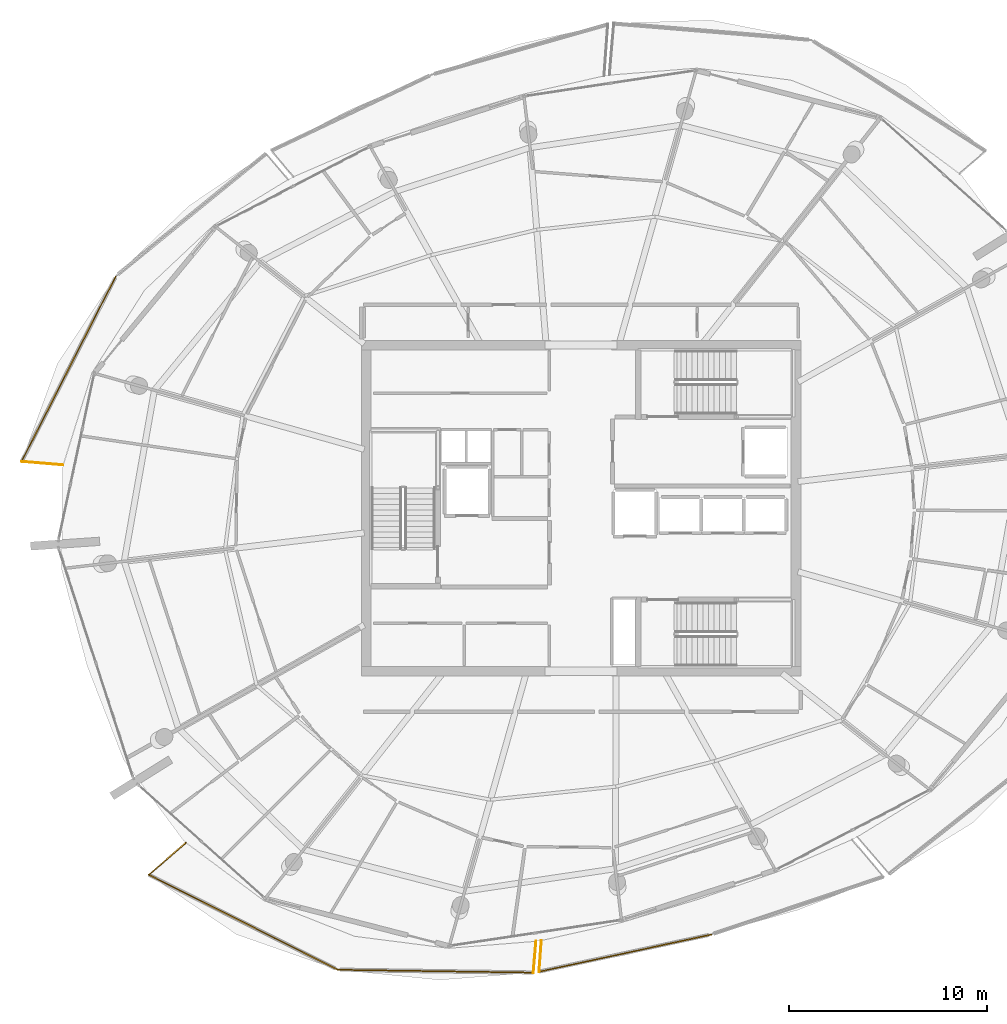
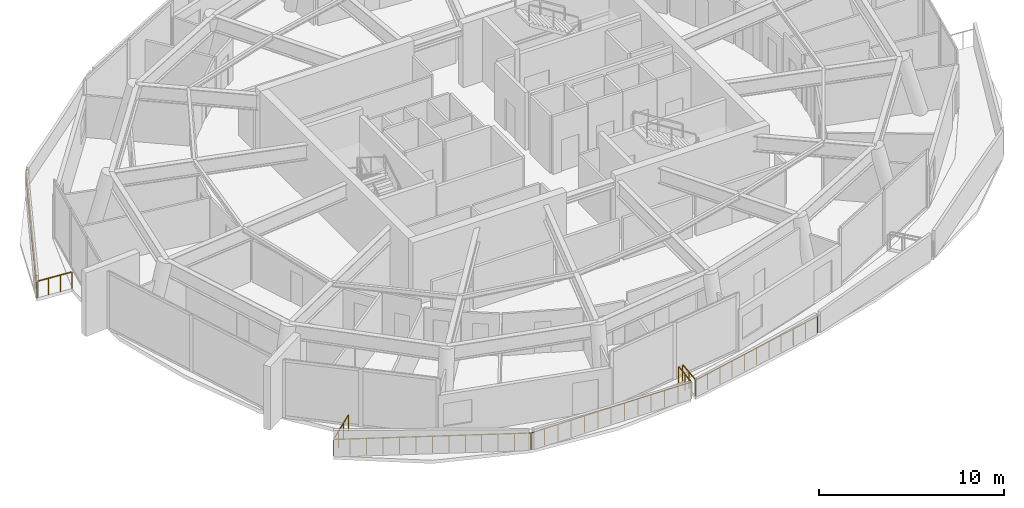
# One storey, part 15 of 19: 8 railings.
"""IFC4 building model written with IfcOpenShell, lengths in metres."""

from ifc_helpers import new_model, si_unit, direction, frame, origin, origin_2d, place, context, subcontext, project, spatial, rectangle, extrude, material, type_object, element, save


model = new_model("IFC4")

# Units and contexts
model_context = context("Model", 3, precision=1e-05, world=origin(), true_north=direction((0.0, 1.0)))
body_context = subcontext(model_context, "Body", "Model", "MODEL_VIEW")
ifc_project = project(units=[si_unit("LENGTHUNIT", "METRE"), si_unit("AREAUNIT", "SQUARE_METRE"), si_unit("VOLUMEUNIT", "CUBIC_METRE"), si_unit("PLANEANGLEUNIT", "RADIAN"), si_unit("MASSUNIT", "GRAM", prefix="KILO")], contexts=[model_context])

# Site, building, storey
site_placement = place(None, origin())
site = spatial("IfcSite", under=ifc_project, at=site_placement, CompositionType="ELEMENT")
building_placement = place(site_placement, origin())
building = spatial("IfcBuilding", under=site, at=building_placement, Name="Kazma Halo Residences", CompositionType="ELEMENT")
storey_placement = place(building_placement, frame((0.0, 0.0, 347.300048828125)))
storey = spatial("IfcBuildingStorey", under=building, at=storey_placement, Name="L87", CompositionType="ELEMENT", Elevation=347.300048828125)

# Railings
ifc_material = material(Name="Aluminium AW-6063 T6 Brushed Cap Rail", Category="aluminium")
railing_type = type_object("IfcRailingType", Name="RLG-BAL-CAP-1120", PredefinedType="BALUSTRADE", material=ifc_material)
railing_1_placement = place(storey_placement, frame((24.893798828125, 53.773193359375, 0.0)))
element("IfcRailing", 1, at=railing_1_placement, inside=storey, type_object=railing_type, Name="L87 NW wave balcony guard 3", PredefinedType="BALUSTRADE", context=body_context, shape_type="SweptSolid", body=[
    extrude(rectangle(XDim=0.050048828125, YDim=0.050048828125, at=origin_2d()), frame((-0.019287109375, -0.037841796875, 1.09521484375), z_axis=(-0.453328923079, -0.891343305074, 0.0), x_axis=(0.891343305074, -0.453328923079, 0.0)), (0.0, 0.0, 1.0), 10.46826171875),
    extrude(rectangle(XDim=0.0400390625, YDim=0.0400390625, at=origin_2d()), origin(), (0.0, 0.0, 1.0), 1.05810546875),
    extrude(rectangle(XDim=0.0400390625, YDim=0.0400390625, at=origin_2d()), frame((-0.398681640625, -0.783935546875, 0.0)), (0.0, 0.0, 1.0), 1.05810546875),
    extrude(rectangle(XDim=0.0400390625, YDim=0.0400390625, at=origin_2d()), frame((-0.79736328125, -1.56787109375, 0.0)), (0.0, 0.0, 1.0), 1.05810546875),
    extrude(rectangle(XDim=0.0400390625, YDim=0.0400390625, at=origin_2d()), frame((-1.196044921875, -2.3515625, 0.0)), (0.0, 0.0, 1.0), 1.05810546875),
    extrude(rectangle(XDim=0.0400390625, YDim=0.0400390625, at=origin_2d()), frame((-1.5947265625, -3.135498046875, 0.0)), (0.0, 0.0, 1.0), 1.05810546875),
    extrude(rectangle(XDim=0.0400390625, YDim=0.0400390625, at=origin_2d()), frame((-1.993408203125, -3.91943359375, 0.0)), (0.0, 0.0, 1.0), 1.05810546875),
    extrude(rectangle(XDim=0.0400390625, YDim=0.0400390625, at=origin_2d()), frame((-2.39208984375, -4.703369140625, 0.0)), (0.0, 0.0, 1.0), 1.05810546875),
    extrude(rectangle(XDim=0.0400390625, YDim=0.0400390625, at=origin_2d()), frame((-2.790771484375, -5.4873046875, 0.0)), (0.0, 0.0, 1.0), 1.05810546875),
    extrude(rectangle(XDim=0.0400390625, YDim=0.0400390625, at=origin_2d()), frame((-3.189453125, -6.271240234375, 0.0)), (0.0, 0.0, 1.0), 1.05810546875),
    extrude(rectangle(XDim=0.0400390625, YDim=0.0400390625, at=origin_2d()), frame((-3.588134765625, -7.05517578125, 0.0)), (0.0, 0.0, 1.0), 1.05810546875),
    extrude(rectangle(XDim=0.0400390625, YDim=0.0400390625, at=origin_2d()), frame((-3.98681640625, -7.8388671875, 0.0)), (0.0, 0.0, 1.0), 1.05810546875),
    extrude(rectangle(XDim=0.0400390625, YDim=0.0400390625, at=origin_2d()), frame((-4.385498046875, -8.622802734375, 0.0)), (0.0, 0.0, 1.0), 1.05810546875),
    extrude(rectangle(XDim=0.0400390625, YDim=0.0400390625, at=origin_2d()), frame((-4.7841796875, -9.40673828125, 0.0)), (0.0, 0.0, 1.0), 1.05810546875),
])
railing_2_placement = place(storey_placement, frame((20.109619140625, 44.366455078125, 0.0)))
element("IfcRailing", 2, at=railing_2_placement, inside=storey, type_object=railing_type, Name="L87 NW wave balcony guard 4", PredefinedType="BALUSTRADE", context=body_context, shape_type="SweptSolid", body=[
    extrude(rectangle(XDim=0.050048828125, YDim=0.050048828125, at=origin_2d()), frame((0.04248046875, -0.003662109375, 1.09521484375), z_axis=(0.996419214381, -0.084550276241, 0.0), x_axis=(0.084550276241, 0.996419214381, 0.0)), (0.0, 0.0, 1.0), 2.022705078125),
    extrude(rectangle(XDim=0.0400390625, YDim=0.0400390625, at=origin_2d()), origin(), (0.0, 0.0, 1.0), 1.05810546875),
    extrude(rectangle(XDim=0.0400390625, YDim=0.0400390625, at=origin_2d()), frame((0.7001953125, -0.059326171875, 0.0)), (0.0, 0.0, 1.0), 1.05810546875),
    extrude(rectangle(XDim=0.0400390625, YDim=0.0400390625, at=origin_2d()), frame((1.400146484375, -0.118896484375, 0.0)), (0.0, 0.0, 1.0), 1.05810546875),
    extrude(rectangle(XDim=0.0400390625, YDim=0.0400390625, at=origin_2d()), frame((2.100341796875, -0.17822265625, 0.0)), (0.0, 0.0, 1.0), 1.05810546875),
])
railing_3_placement = place(storey_placement, frame((28.421630859375, 25.070556640625, 0.0)))
element("IfcRailing", 3, at=railing_3_placement, inside=storey, type_object=railing_type, Name="L87 SW wave balcony guard 1", PredefinedType="BALUSTRADE", context=body_context, shape_type="SweptSolid", body=[
    extrude(rectangle(XDim=0.050048828125, YDim=0.050048828125, at=origin_2d()), frame((-0.0322265625, -0.02783203125, 1.09521484375), z_axis=(-0.756384249682, -0.65412756159, 0.0), x_axis=(0.65412756159, -0.756384249682, 0.0)), (0.0, 0.0, 1.0), 2.39306640625),
    extrude(rectangle(XDim=0.0400390625, YDim=0.0400390625, at=origin_2d()), origin(), (0.0, 0.0, 1.0), 1.05810546875),
    extrude(rectangle(XDim=0.0400390625, YDim=0.0400390625, at=origin_2d()), frame((-0.624755859375, -0.540283203125, 0.0)), (0.0, 0.0, 1.0), 1.05810546875),
    extrude(rectangle(XDim=0.0400390625, YDim=0.0400390625, at=origin_2d()), frame((-1.249755859375, -1.080810546875, 0.0)), (0.0, 0.0, 1.0), 1.05810546875),
    extrude(rectangle(XDim=0.0400390625, YDim=0.0400390625, at=origin_2d()), frame((-1.87451171875, -1.62109375, 0.0)), (0.0, 0.0, 1.0), 1.05810546875),
])
railing_4_placement = place(storey_placement, frame((26.547119140625, 23.449462890625, 0.0)))
element("IfcRailing", 4, at=railing_4_placement, inside=storey, type_object=railing_type, Name="L87 SW wave balcony guard 2", PredefinedType="BALUSTRADE", context=body_context, shape_type="SweptSolid", body=[
    extrude(rectangle(XDim=0.050048828125, YDim=0.050048828125, at=origin_2d()), frame((0.0380859375, -0.01904296875, 1.09521484375), z_axis=(0.893296452598, -0.449467960788, 0.0), x_axis=(0.449467960788, 0.893296452598, 0.0)), (0.0, 0.0, 1.0), 10.60791015625),
    extrude(rectangle(XDim=0.0400390625, YDim=0.0400390625, at=origin_2d()), origin(), (0.0, 0.0, 1.0), 1.05810546875),
    extrude(rectangle(XDim=0.0400390625, YDim=0.0400390625, at=origin_2d()), frame((0.7958984375, -0.400390625, 0.0)), (0.0, 0.0, 1.0), 1.05810546875),
    extrude(rectangle(XDim=0.0400390625, YDim=0.0400390625, at=origin_2d()), frame((1.592041015625, -0.801025390625, 0.0)), (0.0, 0.0, 1.0), 1.05810546875),
    extrude(rectangle(XDim=0.0400390625, YDim=0.0400390625, at=origin_2d()), frame((2.387939453125, -1.20166015625, 0.0)), (0.0, 0.0, 1.0), 1.05810546875),
    extrude(rectangle(XDim=0.0400390625, YDim=0.0400390625, at=origin_2d()), frame((3.18408203125, -1.60205078125, 0.0)), (0.0, 0.0, 1.0), 1.05810546875),
    extrude(rectangle(XDim=0.0400390625, YDim=0.0400390625, at=origin_2d()), frame((3.97998046875, -2.00244140625, 0.0)), (0.0, 0.0, 1.0), 1.05810546875),
    extrude(rectangle(XDim=0.0400390625, YDim=0.0400390625, at=origin_2d()), frame((4.77587890625, -2.403076171875, 0.0)), (0.0, 0.0, 1.0), 1.05810546875),
    extrude(rectangle(XDim=0.0400390625, YDim=0.0400390625, at=origin_2d()), frame((5.572021484375, -2.8037109375, 0.0)), (0.0, 0.0, 1.0), 1.05810546875),
    extrude(rectangle(XDim=0.0400390625, YDim=0.0400390625, at=origin_2d()), frame((6.367919921875, -3.2041015625, 0.0)), (0.0, 0.0, 1.0), 1.05810546875),
    extrude(rectangle(XDim=0.0400390625, YDim=0.0400390625, at=origin_2d()), frame((7.1640625, -3.6044921875, 0.0)), (0.0, 0.0, 1.0), 1.05810546875),
    extrude(rectangle(XDim=0.0400390625, YDim=0.0400390625, at=origin_2d()), frame((7.9599609375, -4.005126953125, 0.0)), (0.0, 0.0, 1.0), 1.05810546875),
    extrude(rectangle(XDim=0.0400390625, YDim=0.0400390625, at=origin_2d()), frame((8.756103515625, -4.40576171875, 0.0)), (0.0, 0.0, 1.0), 1.05810546875),
    extrude(rectangle(XDim=0.0400390625, YDim=0.0400390625, at=origin_2d()), frame((9.552001953125, -4.80615234375, 0.0)), (0.0, 0.0, 1.0), 1.05810546875),
])
railing_5_placement = place(storey_placement, frame((36.09912109375, 18.643310546875, 0.0)))
element("IfcRailing", 5, at=railing_5_placement, inside=storey, type_object=railing_type, Name="L87 SW wave balcony guard 3", PredefinedType="BALUSTRADE", context=body_context, shape_type="SweptSolid", body=[
    extrude(rectangle(XDim=0.050048828125, YDim=0.050048828125, at=origin_2d()), frame((0.04248046875, -0.000732421875, 1.09521484375), z_axis=(0.999893235085, -0.01461226991, 0.0), x_axis=(0.01461226991, 0.999893235085, 0.0)), (0.0, 0.0, 1.0), 9.82275390625),
    extrude(rectangle(XDim=0.0400390625, YDim=0.0400390625, at=origin_2d()), origin(), (0.0, 0.0, 1.0), 1.05810546875),
    extrude(rectangle(XDim=0.0400390625, YDim=0.0400390625, at=origin_2d()), frame((0.82568359375, -0.011962890625, 0.0)), (0.0, 0.0, 1.0), 1.05810546875),
    extrude(rectangle(XDim=0.0400390625, YDim=0.0400390625, at=origin_2d()), frame((1.651123046875, -0.024169921875, 0.0)), (0.0, 0.0, 1.0), 1.05810546875),
    extrude(rectangle(XDim=0.0400390625, YDim=0.0400390625, at=origin_2d()), frame((2.4765625, -0.0361328125, 0.0)), (0.0, 0.0, 1.0), 1.05810546875),
    extrude(rectangle(XDim=0.0400390625, YDim=0.0400390625, at=origin_2d()), frame((3.30224609375, -0.04833984375, 0.0)), (0.0, 0.0, 1.0), 1.05810546875),
    extrude(rectangle(XDim=0.0400390625, YDim=0.0400390625, at=origin_2d()), frame((4.1279296875, -0.060302734375, 0.0)), (0.0, 0.0, 1.0), 1.05810546875),
    extrude(rectangle(XDim=0.0400390625, YDim=0.0400390625, at=origin_2d()), frame((4.953369140625, -0.072265625, 0.0)), (0.0, 0.0, 1.0), 1.05810546875),
    extrude(rectangle(XDim=0.0400390625, YDim=0.0400390625, at=origin_2d()), frame((5.77880859375, -0.08447265625, 0.0)), (0.0, 0.0, 1.0), 1.05810546875),
    extrude(rectangle(XDim=0.0400390625, YDim=0.0400390625, at=origin_2d()), frame((6.6044921875, -0.096435546875, 0.0)), (0.0, 0.0, 1.0), 1.05810546875),
    extrude(rectangle(XDim=0.0400390625, YDim=0.0400390625, at=origin_2d()), frame((7.43017578125, -0.108642578125, 0.0)), (0.0, 0.0, 1.0), 1.05810546875),
    extrude(rectangle(XDim=0.0400390625, YDim=0.0400390625, at=origin_2d()), frame((8.255615234375, -0.12060546875, 0.0)), (0.0, 0.0, 1.0), 1.05810546875),
    extrude(rectangle(XDim=0.0400390625, YDim=0.0400390625, at=origin_2d()), frame((9.0810546875, -0.1328125, 0.0)), (0.0, 0.0, 1.0), 1.05810546875),
    extrude(rectangle(XDim=0.0400390625, YDim=0.0400390625, at=origin_2d()), frame((9.90673828125, -0.144775390625, 0.0)), (0.0, 0.0, 1.0), 1.05810546875),
])
railing_6_placement = place(storey_placement, frame((46.005859375, 18.49853515625, 0.0)))
element("IfcRailing", 6, at=railing_6_placement, inside=storey, type_object=railing_type, Name="L87 SW wave balcony guard 4", PredefinedType="BALUSTRADE", context=body_context, shape_type="SweptSolid", body=[
    extrude(rectangle(XDim=0.050048828125, YDim=0.050048828125, at=origin_2d()), frame((0.003662109375, 0.04248046875, 1.09521484375), z_axis=(0.084533602651, 0.996420629063, 0.0), x_axis=(-0.996420629063, 0.084533602651, 0.0)), (0.0, 0.0, 1.0), 1.50341796875),
    extrude(rectangle(XDim=0.0400390625, YDim=0.0400390625, at=origin_2d()), origin(), (0.0, 0.0, 1.0), 1.05810546875),
    extrude(rectangle(XDim=0.0400390625, YDim=0.0400390625, at=origin_2d()), frame((0.067138671875, 0.79150390625, 0.0)), (0.0, 0.0, 1.0), 1.05810546875),
    extrude(rectangle(XDim=0.0400390625, YDim=0.0400390625, at=origin_2d()), frame((0.13427734375, 1.582763671875, 0.0)), (0.0, 0.0, 1.0), 1.05810546875),
])
railing_7_placement = place(storey_placement, frame((46.41259765625, 20.1220703125, 0.0)))
element("IfcRailing", 7, at=railing_7_placement, inside=storey, type_object=railing_type, Name="L87 SSE wave balcony guard 1", PredefinedType="BALUSTRADE", context=body_context, shape_type="SweptSolid", body=[
    extrude(rectangle(XDim=0.050048828125, YDim=0.050048828125, at=origin_2d()), frame((-0.003173828125, -0.04248046875, 1.09521484375), z_axis=(-0.07242978239, -0.997373514097, 0.0), x_axis=(0.997373514097, -0.07242978239, 0.0)), (0.0, 0.0, 1.0), 1.499267578125),
    extrude(rectangle(XDim=0.0400390625, YDim=0.0400390625, at=origin_2d()), origin(), (0.0, 0.0, 1.0), 1.05810546875),
    extrude(rectangle(XDim=0.0400390625, YDim=0.0400390625, at=origin_2d()), frame((-0.057373046875, -0.7900390625, 0.0)), (0.0, 0.0, 1.0), 1.05810546875),
    extrude(rectangle(XDim=0.0400390625, YDim=0.0400390625, at=origin_2d()), frame((-0.11474609375, -1.580078125, 0.0)), (0.0, 0.0, 1.0), 1.05810546875),
])
railing_8_placement = place(storey_placement, frame((46.2978515625, 18.5419921875, 0.0)))
element("IfcRailing", 8, at=railing_8_placement, inside=storey, type_object=railing_type, Name="L87 SSE wave balcony guard 2", PredefinedType="BALUSTRADE", context=body_context, shape_type="SweptSolid", body=[
    extrude(rectangle(XDim=0.050048828125, YDim=0.050048828125, at=origin_2d()), frame((0.04150390625, 0.009033203125, 1.09521484375), z_axis=(0.977496354824, 0.21095230813, 0.0), x_axis=(-0.21095230813, 0.977496354824, 0.0)), (0.0, 0.0, 1.0), 8.82861328125),
    extrude(rectangle(XDim=0.0400390625, YDim=0.0400390625, at=origin_2d()), origin(), (0.0, 0.0, 1.0), 1.05810546875),
    extrude(rectangle(XDim=0.0400390625, YDim=0.0400390625, at=origin_2d()), frame((0.871337890625, 0.18798828125, 0.0)), (0.0, 0.0, 1.0), 1.05810546875),
    extrude(rectangle(XDim=0.0400390625, YDim=0.0400390625, at=origin_2d()), frame((1.74267578125, 0.3759765625, 0.0)), (0.0, 0.0, 1.0), 1.05810546875),
    extrude(rectangle(XDim=0.0400390625, YDim=0.0400390625, at=origin_2d()), frame((2.614013671875, 0.564208984375, 0.0)), (0.0, 0.0, 1.0), 1.05810546875),
    extrude(rectangle(XDim=0.0400390625, YDim=0.0400390625, at=origin_2d()), frame((3.4853515625, 0.752197265625, 0.0)), (0.0, 0.0, 1.0), 1.05810546875),
    extrude(rectangle(XDim=0.0400390625, YDim=0.0400390625, at=origin_2d()), frame((4.3564453125, 0.940185546875, 0.0)), (0.0, 0.0, 1.0), 1.05810546875),
    extrude(rectangle(XDim=0.0400390625, YDim=0.0400390625, at=origin_2d()), frame((5.227783203125, 1.128173828125, 0.0)), (0.0, 0.0, 1.0), 1.05810546875),
    extrude(rectangle(XDim=0.0400390625, YDim=0.0400390625, at=origin_2d()), frame((6.09912109375, 1.316162109375, 0.0)), (0.0, 0.0, 1.0), 1.05810546875),
    extrude(rectangle(XDim=0.0400390625, YDim=0.0400390625, at=origin_2d()), frame((6.970458984375, 1.50439453125, 0.0)), (0.0, 0.0, 1.0), 1.05810546875),
    extrude(rectangle(XDim=0.0400390625, YDim=0.0400390625, at=origin_2d()), frame((7.841796875, 1.6923828125, 0.0)), (0.0, 0.0, 1.0), 1.05810546875),
    extrude(rectangle(XDim=0.0400390625, YDim=0.0400390625, at=origin_2d()), frame((8.713134765625, 1.88037109375, 0.0)), (0.0, 0.0, 1.0), 1.05810546875),
])

save(model, "model.ifc")
